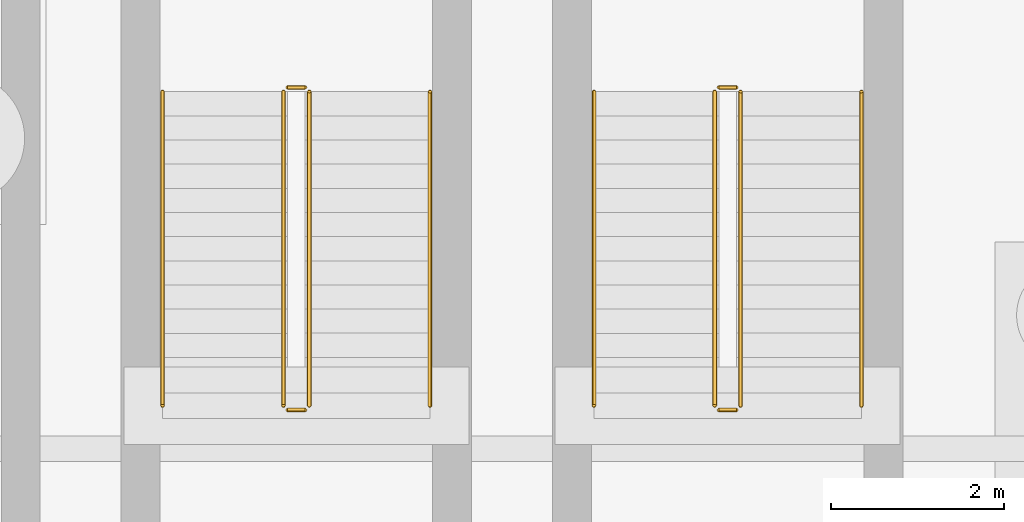
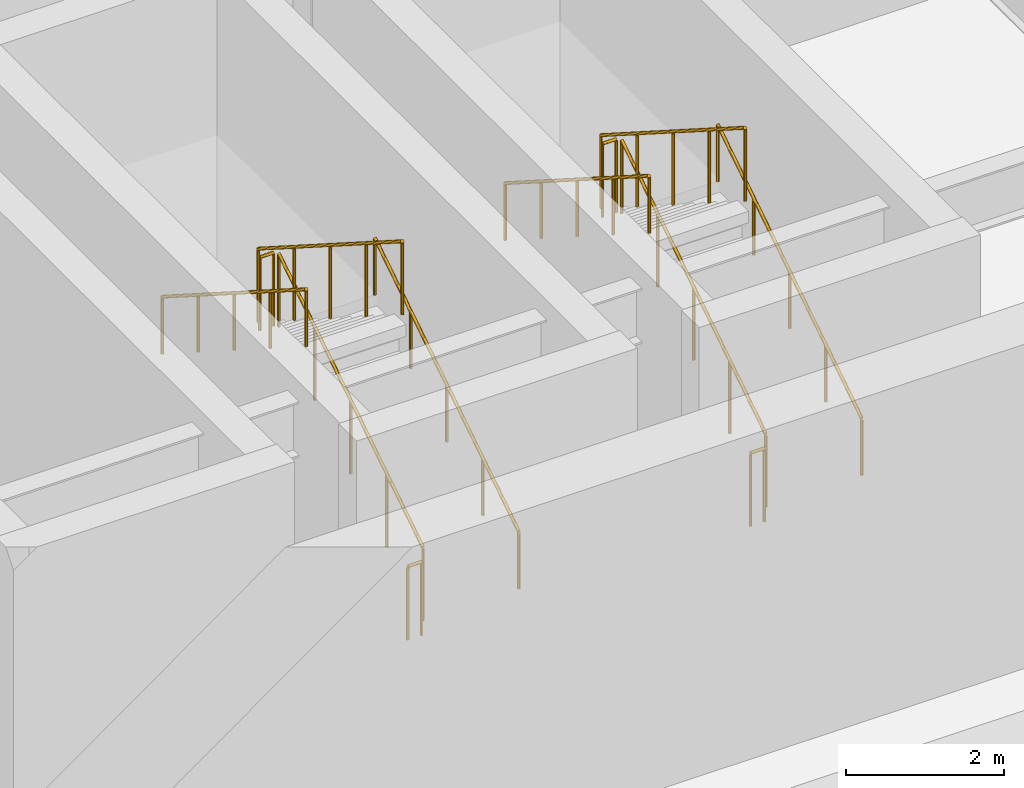
# One storey, part 15 of 17: 12 railings.
"""IFC4 building model written with IfcOpenShell, lengths in metres."""

from ifc_helpers import new_model, si_unit, derived_unit, direction, frame, origin, origin_2d, place, context, subcontext, project, spatial, circle, extrude, material, type_object, element, save


model = new_model("IFC4")

# Units and contexts
model_context = context("Model", 3, precision=1e-05, world=origin(), true_north=direction((0.0, 1.0)))
body_context = subcontext(model_context, "Body", "Model", "MODEL_VIEW")
ifc_project = project(units=[si_unit("LENGTHUNIT", "METRE"), si_unit("AREAUNIT", "SQUARE_METRE"), si_unit("VOLUMEUNIT", "CUBIC_METRE"), si_unit("PLANEANGLEUNIT", "RADIAN"), si_unit("MASSUNIT", "GRAM", prefix="KILO"), derived_unit("THERMALTRANSMITTANCEUNIT", [(si_unit("POWERUNIT", "WATT"), 1), (si_unit("LENGTHUNIT", "METRE"), -2), (si_unit("THERMODYNAMICTEMPERATUREUNIT", "KELVIN"), -1)])], contexts=[model_context])

# Site, building, storey
site_placement = place(None, origin())
site = spatial("IfcSite", under=ifc_project, at=site_placement, CompositionType="ELEMENT")
building_placement = place(site_placement, origin())
building = spatial("IfcBuilding", under=site, at=building_placement, Name="Skarnbrae Concourse Arena and Tower", CompositionType="ELEMENT")
storey_placement = place(building_placement, frame((0.0, 0.0, -10.0)))
storey = spatial("IfcBuildingStorey", under=building, at=storey_placement, Name="B02", CompositionType="ELEMENT", Elevation=-10.0)

# Railings
ifc_material = material(Name="Steel CSA G40.21 350W", Category="steel")
railing_type_1 = type_object("IfcRailingType", Name="RAIL-HANDRAIL-900", PredefinedType="HANDRAIL", material=ifc_material)
railing_1_placement = place(storey_placement, frame((69.550048828125, 4.5, 0.178466796875)))
element("IfcRailing", 1, at=railing_1_placement, inside=storey, type_object=railing_type_1, Name="B02 ST-B1 stair handrail 1", PredefinedType="HANDRAIL", context=body_context, shape_type="SweptSolid", body=[
    extrude(circle(Radius=0.02392578125, at=origin_2d()), frame((0.0, 0.0, 0.8759765625), z_axis=(0.0, 0.843111507901, 0.53773877045), x_axis=(-1.0, 0.0, 0.0)), (0.0, 0.0, 1.0), 4.317138671875),
    extrude(circle(Radius=0.02099609375, at=origin_2d()), origin(), (0.0, 0.0, 1.0), 0.851806640625),
    extrude(circle(Radius=0.02099609375, at=origin_2d()), frame((0.0, 0.909912109375, 0.580322265625)), (0.0, 0.0, 1.0), 0.851806640625),
    extrude(circle(Radius=0.02099609375, at=origin_2d()), frame((0.0, 1.81982421875, 1.16064453125)), (0.0, 0.0, 1.0), 0.851806640625),
    extrude(circle(Radius=0.02099609375, at=origin_2d()), frame((0.0, 2.72998046875, 1.7412109375)), (0.0, 0.0, 1.0), 0.851806640625),
    extrude(circle(Radius=0.02099609375, at=origin_2d()), frame((0.0, 3.639892578125, 2.321533203125)), (0.0, 0.0, 1.0), 0.851806640625),
])
railing_2_placement = place(storey_placement, frame((66.449951171875, 8.139892578125, 2.678466796875)))
element("IfcRailing", 2, at=railing_2_placement, inside=storey, type_object=railing_type_1, Name="B02 ST-B1 stair handrail 2", PredefinedType="HANDRAIL", context=body_context, shape_type="SweptSolid", body=[
    extrude(circle(Radius=0.02392578125, at=origin_2d()), frame((0.0, 0.0, 0.8759765625), z_axis=(0.0, -0.843111507901, 0.53773877045), x_axis=(1.0, 0.0, 0.0)), (0.0, 0.0, 1.0), 4.317138671875),
    extrude(circle(Radius=0.02099609375, at=origin_2d()), origin(), (0.0, 0.0, 1.0), 0.851806640625),
    extrude(circle(Radius=0.02099609375, at=origin_2d()), frame((0.0, -0.909912109375, 0.580322265625)), (0.0, 0.0, 1.0), 0.851806640625),
    extrude(circle(Radius=0.02099609375, at=origin_2d()), frame((0.0, -1.81982421875, 1.16064453125)), (0.0, 0.0, 1.0), 0.851806640625),
    extrude(circle(Radius=0.02099609375, at=origin_2d()), frame((0.0, -2.72998046875, 1.7412109375)), (0.0, 0.0, 1.0), 0.851806640625),
    extrude(circle(Radius=0.02099609375, at=origin_2d()), frame((0.0, -3.639892578125, 2.321533203125)), (0.0, 0.0, 1.0), 0.851806640625),
])
railing_3_placement = place(storey_placement, frame((74.550048828125, 4.5, 0.178466796875)))
element("IfcRailing", 3, at=railing_3_placement, inside=storey, type_object=railing_type_1, Name="B02 ST-B2 stair handrail 1", PredefinedType="HANDRAIL", context=body_context, shape_type="SweptSolid", body=[
    extrude(circle(Radius=0.02392578125, at=origin_2d()), frame((0.0, 0.0, 0.8759765625), z_axis=(0.0, 0.843111507901, 0.53773877045), x_axis=(-1.0, 0.0, 0.0)), (0.0, 0.0, 1.0), 4.317138671875),
    extrude(circle(Radius=0.02099609375, at=origin_2d()), origin(), (0.0, 0.0, 1.0), 0.851806640625),
    extrude(circle(Radius=0.02099609375, at=origin_2d()), frame((0.0, 0.909912109375, 0.580322265625)), (0.0, 0.0, 1.0), 0.851806640625),
    extrude(circle(Radius=0.02099609375, at=origin_2d()), frame((0.0, 1.81982421875, 1.16064453125)), (0.0, 0.0, 1.0), 0.851806640625),
    extrude(circle(Radius=0.02099609375, at=origin_2d()), frame((0.0, 2.72998046875, 1.7412109375)), (0.0, 0.0, 1.0), 0.851806640625),
    extrude(circle(Radius=0.02099609375, at=origin_2d()), frame((0.0, 3.639892578125, 2.321533203125)), (0.0, 0.0, 1.0), 0.851806640625),
])
railing_4_placement = place(storey_placement, frame((71.449951171875, 8.139892578125, 2.678466796875)))
element("IfcRailing", 4, at=railing_4_placement, inside=storey, type_object=railing_type_1, Name="B02 ST-B2 stair handrail 2", PredefinedType="HANDRAIL", context=body_context, shape_type="SweptSolid", body=[
    extrude(circle(Radius=0.02392578125, at=origin_2d()), frame((0.0, 0.0, 0.8759765625), z_axis=(0.0, -0.843111507901, 0.53773877045), x_axis=(1.0, 0.0, 0.0)), (0.0, 0.0, 1.0), 4.317138671875),
    extrude(circle(Radius=0.02099609375, at=origin_2d()), origin(), (0.0, 0.0, 1.0), 0.851806640625),
    extrude(circle(Radius=0.02099609375, at=origin_2d()), frame((0.0, -0.909912109375, 0.580322265625)), (0.0, 0.0, 1.0), 0.851806640625),
    extrude(circle(Radius=0.02099609375, at=origin_2d()), frame((0.0, -1.81982421875, 1.16064453125)), (0.0, 0.0, 1.0), 0.851806640625),
    extrude(circle(Radius=0.02099609375, at=origin_2d()), frame((0.0, -2.72998046875, 1.7412109375)), (0.0, 0.0, 1.0), 0.851806640625),
    extrude(circle(Radius=0.02099609375, at=origin_2d()), frame((0.0, -3.639892578125, 2.321533203125)), (0.0, 0.0, 1.0), 0.851806640625),
])
railing_type_2 = type_object("IfcRailingType", Name="RAIL-STAIR-GUARD-1150", PredefinedType="GUARDRAIL", material=ifc_material)
railing_5_placement = place(storey_placement, frame((68.14990234375, 4.5, 0.178466796875)))
element("IfcRailing", 5, at=railing_5_placement, inside=storey, type_object=railing_type_2, Name="B02 ST-B1 stair guard 1", PredefinedType="GUARDRAIL", context=body_context, shape_type="SweptSolid", body=[
    extrude(circle(Radius=0.02392578125, at=origin_2d()), frame((0.0, 0.0, 1.1259765625), z_axis=(0.0, 0.843111507901, 0.53773877045), x_axis=(-1.0, 0.0, 0.0)), (0.0, 0.0, 1.0), 4.317138671875),
    extrude(circle(Radius=0.02099609375, at=origin_2d()), origin(), (0.0, 0.0, 1.0), 1.101806640625),
    extrude(circle(Radius=0.02099609375, at=origin_2d()), frame((0.0, 0.909912109375, 0.580322265625)), (0.0, 0.0, 1.0), 1.101806640625),
    extrude(circle(Radius=0.02099609375, at=origin_2d()), frame((0.0, 1.81982421875, 1.16064453125)), (0.0, 0.0, 1.0), 1.101806640625),
    extrude(circle(Radius=0.02099609375, at=origin_2d()), frame((0.0, 2.72998046875, 1.7412109375)), (0.0, 0.0, 1.0), 1.101806640625),
    extrude(circle(Radius=0.02099609375, at=origin_2d()), frame((0.0, 3.639892578125, 2.321533203125)), (0.0, 0.0, 1.0), 1.101806640625),
])
railing_6_placement = place(storey_placement, frame((68.10009765625, 8.18994140625, 2.5)))
element("IfcRailing", 6, at=railing_6_placement, inside=storey, type_object=railing_type_2, Name="B02 ST-B1 stair guard 2", PredefinedType="GUARDRAIL", context=body_context, shape_type="SweptSolid", body=[
    extrude(circle(Radius=0.02392578125, at=origin_2d()), frame((0.0, 0.0, 1.1259765625), z_axis=(-1.0, 0.0, 0.0), x_axis=(0.0, -1.0, 0.0)), (0.0, 0.0, 1.0), 0.2001953125),
    extrude(circle(Radius=0.02099609375, at=origin_2d()), origin(), (0.0, 0.0, 1.0), 1.101806640625),
    extrude(circle(Radius=0.02099609375, at=origin_2d()), frame((-0.2001953125, 0.0, 0.0)), (0.0, 0.0, 1.0), 1.101806640625),
])
railing_7_placement = place(storey_placement, frame((67.85009765625, 8.139892578125, 2.678466796875)))
element("IfcRailing", 7, at=railing_7_placement, inside=storey, type_object=railing_type_2, Name="B02 ST-B1 stair guard 3", PredefinedType="GUARDRAIL", context=body_context, shape_type="SweptSolid", body=[
    extrude(circle(Radius=0.02392578125, at=origin_2d()), frame((0.0, 0.0, 1.1259765625), z_axis=(0.0, -0.843111507901, 0.53773877045), x_axis=(1.0, 0.0, 0.0)), (0.0, 0.0, 1.0), 4.317138671875),
    extrude(circle(Radius=0.02099609375, at=origin_2d()), origin(), (0.0, 0.0, 1.0), 1.101806640625),
    extrude(circle(Radius=0.02099609375, at=origin_2d()), frame((0.0, -0.909912109375, 0.580322265625)), (0.0, 0.0, 1.0), 1.101806640625),
    extrude(circle(Radius=0.02099609375, at=origin_2d()), frame((0.0, -1.81982421875, 1.16064453125)), (0.0, 0.0, 1.0), 1.101806640625),
    extrude(circle(Radius=0.02099609375, at=origin_2d()), frame((0.0, -2.72998046875, 1.7412109375)), (0.0, 0.0, 1.0), 1.101806640625),
    extrude(circle(Radius=0.02099609375, at=origin_2d()), frame((0.0, -3.639892578125, 2.321533203125)), (0.0, 0.0, 1.0), 1.101806640625),
])
railing_8_placement = place(storey_placement, frame((68.10009765625, 4.449951171875, 0.0)))
element("IfcRailing", 8, at=railing_8_placement, inside=storey, type_object=railing_type_2, Name="B02 ST-B1 stair guard 4", PredefinedType="GUARDRAIL", context=body_context, shape_type="SweptSolid", body=[
    extrude(circle(Radius=0.02392578125, at=origin_2d()), frame((0.0, 0.0, 1.1259765625), z_axis=(-1.0, 0.0, 0.0), x_axis=(0.0, -1.0, 0.0)), (0.0, 0.0, 1.0), 0.2001953125),
    extrude(circle(Radius=0.02099609375, at=origin_2d()), origin(), (0.0, 0.0, 1.0), 1.101806640625),
    extrude(circle(Radius=0.02099609375, at=origin_2d()), frame((-0.2001953125, 0.0, 0.0)), (0.0, 0.0, 1.0), 1.101806640625),
])
railing_9_placement = place(storey_placement, frame((73.14990234375, 4.5, 0.178466796875)))
element("IfcRailing", 9, at=railing_9_placement, inside=storey, type_object=railing_type_2, Name="B02 ST-B2 stair guard 1", PredefinedType="GUARDRAIL", context=body_context, shape_type="SweptSolid", body=[
    extrude(circle(Radius=0.02392578125, at=origin_2d()), frame((0.0, 0.0, 1.1259765625), z_axis=(0.0, 0.843111507901, 0.53773877045), x_axis=(-1.0, 0.0, 0.0)), (0.0, 0.0, 1.0), 4.317138671875),
    extrude(circle(Radius=0.02099609375, at=origin_2d()), origin(), (0.0, 0.0, 1.0), 1.101806640625),
    extrude(circle(Radius=0.02099609375, at=origin_2d()), frame((0.0, 0.909912109375, 0.580322265625)), (0.0, 0.0, 1.0), 1.101806640625),
    extrude(circle(Radius=0.02099609375, at=origin_2d()), frame((0.0, 1.81982421875, 1.16064453125)), (0.0, 0.0, 1.0), 1.101806640625),
    extrude(circle(Radius=0.02099609375, at=origin_2d()), frame((0.0, 2.72998046875, 1.7412109375)), (0.0, 0.0, 1.0), 1.101806640625),
    extrude(circle(Radius=0.02099609375, at=origin_2d()), frame((0.0, 3.639892578125, 2.321533203125)), (0.0, 0.0, 1.0), 1.101806640625),
])
railing_10_placement = place(storey_placement, frame((73.10009765625, 8.18994140625, 2.5)))
element("IfcRailing", 10, at=railing_10_placement, inside=storey, type_object=railing_type_2, Name="B02 ST-B2 stair guard 2", PredefinedType="GUARDRAIL", context=body_context, shape_type="SweptSolid", body=[
    extrude(circle(Radius=0.02392578125, at=origin_2d()), frame((0.0, 0.0, 1.1259765625), z_axis=(-1.0, 0.0, 0.0), x_axis=(0.0, -1.0, 0.0)), (0.0, 0.0, 1.0), 0.2001953125),
    extrude(circle(Radius=0.02099609375, at=origin_2d()), origin(), (0.0, 0.0, 1.0), 1.101806640625),
    extrude(circle(Radius=0.02099609375, at=origin_2d()), frame((-0.2001953125, 0.0, 0.0)), (0.0, 0.0, 1.0), 1.101806640625),
])
railing_11_placement = place(storey_placement, frame((72.85009765625, 8.139892578125, 2.678466796875)))
element("IfcRailing", 11, at=railing_11_placement, inside=storey, type_object=railing_type_2, Name="B02 ST-B2 stair guard 3", PredefinedType="GUARDRAIL", context=body_context, shape_type="SweptSolid", body=[
    extrude(circle(Radius=0.02392578125, at=origin_2d()), frame((0.0, 0.0, 1.1259765625), z_axis=(0.0, -0.843111507901, 0.53773877045), x_axis=(1.0, 0.0, 0.0)), (0.0, 0.0, 1.0), 4.317138671875),
    extrude(circle(Radius=0.02099609375, at=origin_2d()), origin(), (0.0, 0.0, 1.0), 1.101806640625),
    extrude(circle(Radius=0.02099609375, at=origin_2d()), frame((0.0, -0.909912109375, 0.580322265625)), (0.0, 0.0, 1.0), 1.101806640625),
    extrude(circle(Radius=0.02099609375, at=origin_2d()), frame((0.0, -1.81982421875, 1.16064453125)), (0.0, 0.0, 1.0), 1.101806640625),
    extrude(circle(Radius=0.02099609375, at=origin_2d()), frame((0.0, -2.72998046875, 1.7412109375)), (0.0, 0.0, 1.0), 1.101806640625),
    extrude(circle(Radius=0.02099609375, at=origin_2d()), frame((0.0, -3.639892578125, 2.321533203125)), (0.0, 0.0, 1.0), 1.101806640625),
])
railing_12_placement = place(storey_placement, frame((73.10009765625, 4.449951171875, 0.0)))
element("IfcRailing", 12, at=railing_12_placement, inside=storey, type_object=railing_type_2, Name="B02 ST-B2 stair guard 4", PredefinedType="GUARDRAIL", context=body_context, shape_type="SweptSolid", body=[
    extrude(circle(Radius=0.02392578125, at=origin_2d()), frame((0.0, 0.0, 1.1259765625), z_axis=(-1.0, 0.0, 0.0), x_axis=(0.0, -1.0, 0.0)), (0.0, 0.0, 1.0), 0.2001953125),
    extrude(circle(Radius=0.02099609375, at=origin_2d()), origin(), (0.0, 0.0, 1.0), 1.101806640625),
    extrude(circle(Radius=0.02099609375, at=origin_2d()), frame((-0.2001953125, 0.0, 0.0)), (0.0, 0.0, 1.0), 1.101806640625),
])

save(model, "model.ifc")
